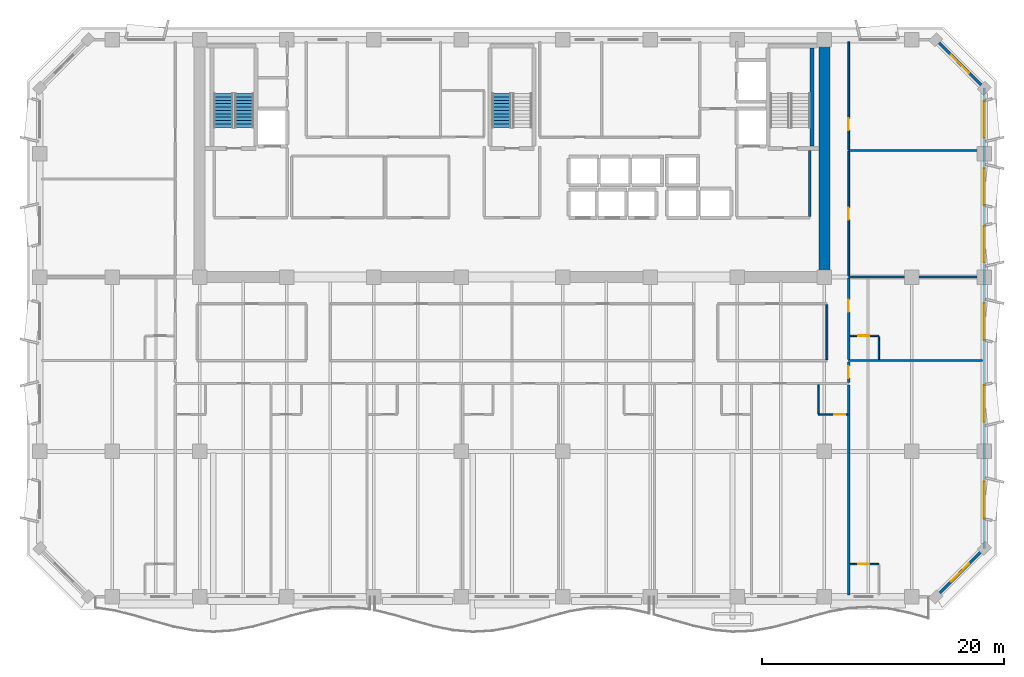
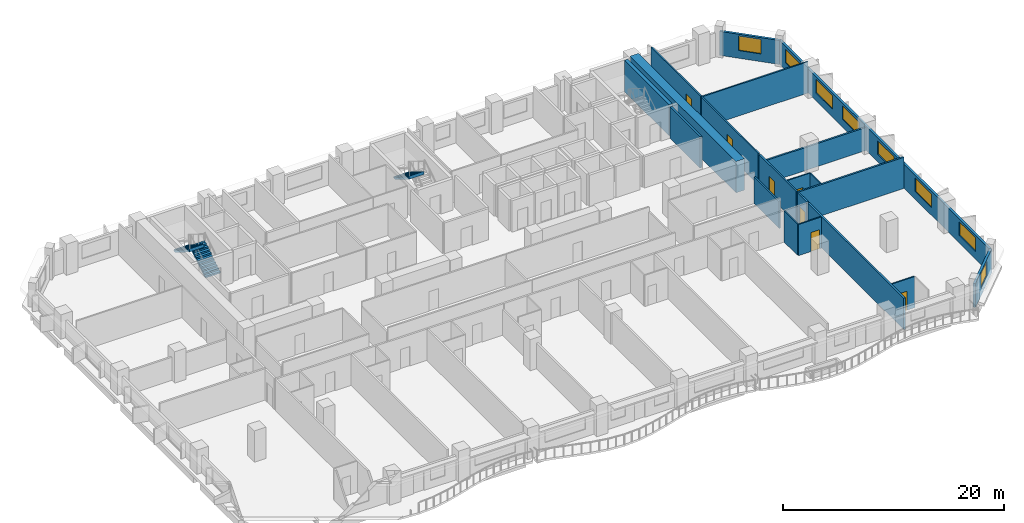
# One storey, part 9 of 15: 20 walls, 8 windows, 7 doors, 3 stair flights, 15 openings, 2 elements without a shape of their own.
"""IFC4 building model written with IfcOpenShell, lengths in metres."""

import ifcopenshell
import ifcopenshell.guid

model = None  # the IFC model being written
_history = None  # IfcOwnerHistory: only IFC2X3 demands one
_inside = {}  # id of a spatial element -> (the spatial element, [elements in it])
_under = {}  # id of a project, library or spatial element -> (it, [spatial elements below it])
_declared = {}  # id of a project -> (the project, [libraries it declares])
_typed = {}  # id of a type object -> (the type object, [elements of that type])
_made_of = {}  # id of a material, layer set ... -> (it, [elements and type objects made of it])


def new_model(schema):
    """Start an empty IFC model of exactly this schema.

    Asked for "IFC4X3", IfcOpenShell would pick the latest addendum, in which some entities
    have other attributes; the version numbers below select the first issue.
    IFC2X3 requires an IfcOwnerHistory on every rooted entity: one is made here for all.
    """
    global model, _history
    if schema == "IFC4X3":
        model = ifcopenshell.file(schema_version=(4, 3, 0, 0))
    else:
        model = ifcopenshell.file(schema=schema)
    _inside.clear()
    _under.clear()
    _declared.clear()
    _typed.clear()
    _made_of.clear()
    _history = None
    if model.schema == "IFC2X3":
        org = make("IfcOrganization", Name="unknown")
        user = make(
            "IfcPersonAndOrganization",
            ThePerson=make("IfcPerson", FamilyName="unknown"),
            TheOrganization=org,
        )
        app = make(
            "IfcApplication",
            ApplicationDeveloper=org,
            Version="unknown",
            ApplicationFullName="unknown",
            ApplicationIdentifier="unknown",
        )
        _history = make(
            "IfcOwnerHistory",
            OwningUser=user,
            OwningApplication=app,
            ChangeAction="ADDED",
            CreationDate=0,
        )
    return model


def make(cls, **values):
    """One entity of the class cls with the attributes given. An attribute that is None is left unset."""
    return model.create_entity(
        cls, **{name: value for name, value in values.items() if value is not None}
    )


def rooted(cls, **values):
    """An entity with a GlobalId (a new one), such as an element, a storey or a relation."""
    return make(cls, GlobalId=ifcopenshell.guid.new(), OwnerHistory=_history, **values)


def si_unit(unit_type, name, prefix=None):
    """IfcSIUnit, for example si_unit("LENGTHUNIT", "METRE", prefix="MILLI")."""
    return make("IfcSIUnit", UnitType=unit_type, Prefix=prefix, Name=name)


def assignment(units):
    """IfcUnitAssignment: the units of a project."""
    return None if units is None else make("IfcUnitAssignment", Units=units)


def point(xyz):
    """IfcCartesianPoint."""
    return None if xyz is None else make("IfcCartesianPoint", Coordinates=xyz)


def direction(xyz):
    """IfcDirection."""
    return None if xyz is None else make("IfcDirection", DirectionRatios=xyz)


def frame(location, z_axis=None, x_axis=None):
    """IfcAxis2Placement3D, a coordinate frame: its origin and axes. An axis left out is left unset."""
    return make(
        "IfcAxis2Placement3D",
        Location=point(location),
        Axis=direction(z_axis),
        RefDirection=direction(x_axis),
    )


def frame_2d(location, x_axis=None):
    """IfcAxis2Placement2D, a coordinate frame in the plane: its origin and x axis."""
    return make(
        "IfcAxis2Placement2D", Location=point(location), RefDirection=direction(x_axis)
    )


def origin():
    """The frame at (0, 0, 0) with its axes left unset."""
    return frame((0.0, 0.0, 0.0))


def place(relative_to, where):
    """IfcLocalPlacement: puts the frame where relative to a parent placement (None: the world)."""
    return make(
        "IfcLocalPlacement", PlacementRelTo=relative_to, RelativePlacement=where
    )


def context(
    kind, dimensions, precision=None, world=None, true_north=None, identifier=None
):
    """IfcGeometricRepresentationContext, for example the 3D "Model" context."""
    return make(
        "IfcGeometricRepresentationContext",
        ContextIdentifier=identifier,
        ContextType=kind,
        CoordinateSpaceDimension=dimensions,
        Precision=precision,
        WorldCoordinateSystem=world,
        TrueNorth=true_north,
    )


def subcontext(parent, identifier, kind, view, scale=None):
    """IfcGeometricRepresentationSubContext, for example "Body" below "Model"."""
    return make(
        "IfcGeometricRepresentationSubContext",
        ContextIdentifier=identifier,
        ContextType=kind,
        ParentContext=parent,
        TargetScale=scale,
        TargetView=view,
    )


def project(units=None, contexts=None):
    """IfcProject with its units and contexts."""
    return rooted(
        "IfcProject",
        Name="project",
        RepresentationContexts=contexts,
        UnitsInContext=assignment(units),
    )


def spatial(cls, under=None, at=None, **own):
    """A site, building, storey or space (cls), placed at a placement, below another one or the project."""
    s = rooted(cls, ObjectPlacement=at, **own)
    if under is not None:
        _under.setdefault(under.id(), (under, []))[1].append(s)
    return s


def polyline(points):
    """IfcPolyline through the points."""
    return make("IfcPolyline", Points=[point(p) for p in points])


def profile(cls, at=None, kind="AREA", **sizes):
    """A parametric profile (cls). Its sizes go by their IFC names, for example OverallWidth=200.0."""
    return make(cls, ProfileType=kind, Position=at, **sizes)


def rectangle(**sizes):
    """IfcRectangleProfileDef."""
    return profile("IfcRectangleProfileDef", **sizes)


def outline(outer, holes=None, kind="AREA"):
    """IfcArbitraryClosedProfileDef: a profile drawn as a closed curve; with holes, ...WithVoids."""
    if holes is None:
        return make("IfcArbitraryClosedProfileDef", ProfileType=kind, OuterCurve=outer)
    return make(
        "IfcArbitraryProfileDefWithVoids",
        ProfileType=kind,
        OuterCurve=outer,
        InnerCurves=holes,
    )


def extrude(swept, where, along, depth):
    """IfcExtrudedAreaSolid: the profile swept, set in the frame where, extruded along a direction by depth."""
    return make(
        "IfcExtrudedAreaSolid",
        SweptArea=swept,
        Position=where,
        ExtrudedDirection=direction(along),
        Depth=depth,
    )


def shape(context_of_items, identifier, shape_type, items):
    """IfcShapeRepresentation: the items that make up one representation, for example the "Body"."""
    return make(
        "IfcShapeRepresentation",
        ContextOfItems=context_of_items,
        RepresentationIdentifier=identifier,
        RepresentationType=shape_type,
        Items=items,
    )


def material(Name=None, Category=None):
    """IfcMaterial."""
    return make("IfcMaterial", Name=Name, Category=Category)


def layer(
    of_material, thickness, ventilated=None, Name=None, Category=None, Priority=None
):
    """IfcMaterialLayer: one layer of a wall or slab, of a material (None: an air gap)."""
    return make(
        "IfcMaterialLayer",
        Material=of_material,
        LayerThickness=thickness,
        IsVentilated=ventilated,
        Name=Name,
        Category=Category,
        Priority=Priority,
    )


def layer_set(layers, Name=None):
    """IfcMaterialLayerSet."""
    return make("IfcMaterialLayerSet", MaterialLayers=layers, LayerSetName=Name)


def made_of(thing, what):
    """Note that an element or type object is made of a material, layer set ...; save() writes the relation."""
    if what is not None:
        _made_of.setdefault(what.id(), (what, []))[1].append(thing)
    return thing


def type_object(cls, material=None, **own):
    """A type object (cls), such as IfcWallType, which elements share."""
    return made_of(rooted(cls, **own), material)


def element(
    cls,
    number,
    at=None,
    inside=None,
    cuts=None,
    type_object=None,
    material=None,
    context=None,
    identifier="Body",
    shape_type=None,
    held_by="IfcProductDefinitionShape",
    body=None,
    shapes=None,
    **own,
):
    """One element of the class cls, such as IfcWall. Its Tag is "e" and its number.

    at: its placement. inside: the storey or other place that contains it. cuts: it is an
    opening in that element (IfcRelVoidsElement). A single representation is given by context,
    identifier, shape_type and body (its items); several are given by shapes. held_by: the class
    of the entity that holds the representations. save() writes the other relations.
    """
    e = rooted(cls, Tag="e%d" % number, ObjectPlacement=at, **own)
    if body is not None:
        shapes = [shape(context, identifier, shape_type, body)]
    if shapes is not None:
        e.Representation = make(held_by, Representations=shapes)
    if inside is not None:
        _inside.setdefault(inside.id(), (inside, []))[1].append(e)
    if cuts is not None:
        rooted(
            "IfcRelVoidsElement", RelatingBuildingElement=cuts, RelatedOpeningElement=e
        )
    if type_object is not None:
        _typed.setdefault(type_object.id(), (type_object, []))[1].append(e)
    return made_of(e, material)


def fill(opening, filler):
    """IfcRelFillsElement: the door or window that sits in an opening."""
    return rooted(
        "IfcRelFillsElement",
        RelatingOpeningElement=opening,
        RelatedBuildingElement=filler,
    )


def aggregate(whole, parts):
    """IfcRelAggregates: a whole, such as a stair, and the parts it consists of."""
    return rooted("IfcRelAggregates", RelatingObject=whole, RelatedObjects=parts)


def save(model, path):
    """Write the relations noted so far, then the file.

    IfcRelAggregates (storeys below a building ...), IfcRelContainedInSpatialStructure (elements
    in a storey), IfcRelDefinesByType, IfcRelAssociatesMaterial and IfcRelDeclares: one each for
    every whole, place, type object, material and project.
    """
    for whole, parts in _under.values():
        aggregate(whole, parts)
    for where, things in _inside.values():
        rooted(
            "IfcRelContainedInSpatialStructure",
            RelatedElements=things,
            RelatingStructure=where,
        )
    for kind, things in _typed.values():
        rooted("IfcRelDefinesByType", RelatedObjects=things, RelatingType=kind)
    for what, things in _made_of.values():
        rooted("IfcRelAssociatesMaterial", RelatedObjects=things, RelatingMaterial=what)
    for by, libraries in _declared.values():
        rooted("IfcRelDeclares", RelatingContext=by, RelatedDefinitions=libraries)
    model.write(path)


model = new_model("IFC4")

# Units and contexts
model_context = context("Model", 3, precision=1e-05, world=origin(), true_north=direction((0.0, 1.0)))
body_context = subcontext(model_context, "Body", "Model", "MODEL_VIEW")
ifc_project = project(units=[si_unit("LENGTHUNIT", "METRE"), si_unit("AREAUNIT", "SQUARE_METRE"), si_unit("VOLUMEUNIT", "CUBIC_METRE"), si_unit("PLANEANGLEUNIT", "RADIAN"), si_unit("MASSUNIT", "GRAM", prefix="KILO")], contexts=[model_context])

# Site, building, storey
site_placement = place(None, origin())
site = spatial("IfcSite", under=ifc_project, at=site_placement, CompositionType="ELEMENT")
building_placement = place(site_placement, origin())
building = spatial("IfcBuilding", under=site, at=building_placement, Name="Kaelvorn Grand Hotel", CompositionType="ELEMENT")
storey_placement = place(building_placement, frame((0.0, 0.0, 180.949951171875)))
storey = spatial("IfcBuildingStorey", under=building, at=storey_placement, Name="L44", CompositionType="ELEMENT", Elevation=180.949951171875)

# Wall
ifc_material_1 = material(Name="Concrete C60/75", Category="concrete")
ifc_layer_1 = layer(ifc_material_1, 0.89990234375)
ifc_layer_set_1 = layer_set([ifc_layer_1], Name="Concrete C60/75")
wall_type_1 = type_object("IfcWallType", Name="WL-CORE-900-C60", PredefinedType="SHEAR", material=ifc_layer_set_1)
wall_1_placement = place(storey_placement, frame((67.800048828125, 29.39990234375, 0.0), z_axis=(0.0, 0.0, 1.0), x_axis=(0.0, 1.0, 0.0)))
element("IfcWall", 1, at=wall_1_placement, inside=storey, type_object=wall_type_1, Name="L44 Rear-Core East Shear Wall", PredefinedType="SHEAR", context=body_context, shape_type="SweptSolid", body=[
    extrude(rectangle(XDim=19.2001953125, YDim=0.89990234375, at=frame_2d((9.60009765625, 0.0))), origin(), (0.0, 0.0, 1.0), 3.449951171875),
])

# Wall, opening, window
ifc_material_2 = material(Name="Concrete C40/50", Category="concrete")
ifc_layer_2 = layer(ifc_material_2, 0.239990234375)
ifc_layer_set_2 = layer_set([ifc_layer_2], Name="Concrete C40/50")
wall_type_2 = type_object("IfcWallType", Name="WL-EXT-240-C40", PredefinedType="SOLIDWALL", material=ifc_layer_set_2)
wall_2_placement = place(storey_placement, frame((77.0, 3.0, 0.0), z_axis=(0.0, 0.0, 1.0), x_axis=(0.707106781187, 0.707106781187, 0.0)))
wall_2 = element("IfcWall", 2, at=wall_2_placement, inside=storey, type_object=wall_type_2, Name="L44 Exterior Architectural Concrete Wall 02", PredefinedType="SOLIDWALL", context=body_context, shape_type="SweptSolid", body=[
    extrude(rectangle(XDim=5.65673828125, YDim=0.239990234375, at=frame_2d((2.828369140625, 0.0))), origin(), (0.0, 0.0, 1.0), 2.650146484375),
])
opening_1_placement = place(wall_2_placement, frame((1.7783203125, 0.0, 0.85009765625)))
opening_1 = element("IfcOpeningElement", 3, at=opening_1_placement, cuts=wall_2, Name="Opening W7", PredefinedType="OPENING", context=body_context, shape_type="SweptSolid", body=[
    extrude(rectangle(XDim=2.10009765625, YDim=1.60009765625, at=frame_2d((1.050048828125, 0.800048828125))), frame((0.0, 0.1298828125, 0.0), z_axis=(0.0, -1.0, 0.0), x_axis=(1.0, 0.0, 0.0)), (0.0, 0.0, 1.0), 0.260009765625),
])
ifc_material_3 = material(Name="Laminated Low-E Glass", Category="glass")
window_type_1 = type_object("IfcWindowType", Name="WIN-CHM-2100x1600", PartitioningType="SINGLE_PANEL", PredefinedType="WINDOW", material=ifc_material_3)
window_1_placement = place(opening_1_placement, origin())
window_1 = element("IfcWindow", 4, at=window_1_placement, inside=storey, type_object=window_type_1, Name="L44 Chamfered 45-Degree Corner Window SE", OverallHeight=1.60009765625, OverallWidth=2.10009765625, PartitioningType="SINGLE_PANEL", PredefinedType="WINDOW", context=body_context, shape_type="SweptSolid", body=[
    extrude(rectangle(XDim=2.10009765625, YDim=1.60009765625, at=frame_2d((1.050048828125, 0.800048828125))), frame((0.0, 0.030029296875, 0.0), z_axis=(0.0, -1.0, 0.0), x_axis=(1.0, 0.0, 0.0)), (0.0, 0.0, 1.0), 0.06005859375),
])
fill(opening_1, window_1)

# Wall, openings, windows
wall_3_placement = place(storey_placement, frame((81.0, 7.0, 0.0), z_axis=(0.0, 0.0, 1.0), x_axis=(0.0, 1.0, 0.0)))
wall_3 = element("IfcWall", 5, at=wall_3_placement, inside=storey, type_object=wall_type_2, Name="L44 Exterior Architectural Concrete Wall 03", PredefinedType="SOLIDWALL", context=body_context, shape_type="SweptSolid", body=[
    extrude(rectangle(XDim=38.0, YDim=0.239990234375, at=frame_2d((19.0, 0.0))), origin(), (0.0, 0.0, 1.0), 2.650146484375),
])
opening_2_placement = place(wall_3_placement, frame((2.5, 0.0, 0.85009765625)))
opening_2 = element("IfcOpeningElement", 6, at=opening_2_placement, cuts=wall_3, Name="Opening W5", PredefinedType="OPENING", context=body_context, shape_type="SweptSolid", body=[
    extrude(rectangle(XDim=3.0, YDim=1.5, at=frame_2d((1.5, 0.75))), frame((0.0, 0.1298828125, 0.0), z_axis=(0.0, -1.0, 0.0), x_axis=(1.0, 0.0, 0.0)), (0.0, 0.0, 1.0), 0.260009765625),
])
opening_3_placement = place(wall_3_placement, frame((10.449951171875, 0.0, 0.85009765625)))
opening_3 = element("IfcOpeningElement", 7, at=opening_3_placement, cuts=wall_3, Name="Opening W5", PredefinedType="OPENING", context=body_context, shape_type="SweptSolid", body=[
    extrude(rectangle(XDim=3.0, YDim=1.5, at=frame_2d((1.5, 0.75))), frame((0.0, 0.1298828125, 0.0), z_axis=(0.0, -1.0, 0.0), x_axis=(1.0, 0.0, 0.0)), (0.0, 0.0, 1.0), 0.260009765625),
])
opening_4_placement = place(wall_3_placement, frame((17.25, 0.0, 0.85009765625)))
opening_4 = element("IfcOpeningElement", 8, at=opening_4_placement, cuts=wall_3, Name="Opening W5", PredefinedType="OPENING", context=body_context, shape_type="SweptSolid", body=[
    extrude(rectangle(XDim=3.0, YDim=1.5, at=frame_2d((1.5, 0.75))), frame((0.0, 0.1298828125, 0.0), z_axis=(0.0, -1.0, 0.0), x_axis=(1.0, 0.0, 0.0)), (0.0, 0.0, 1.0), 0.260009765625),
])
opening_5_placement = place(wall_3_placement, frame((23.614990234375, 0.0, 0.85009765625)))
opening_5 = element("IfcOpeningElement", 9, at=opening_5_placement, cuts=wall_3, Name="Opening W5", PredefinedType="OPENING", context=body_context, shape_type="SweptSolid", body=[
    extrude(rectangle(XDim=3.0, YDim=1.5, at=frame_2d((1.5, 0.75))), frame((0.0, 0.1298828125, 0.0), z_axis=(0.0, -1.0, 0.0), x_axis=(1.0, 0.0, 0.0)), (0.0, 0.0, 1.0), 0.260009765625),
])
opening_6_placement = place(wall_3_placement, frame((28.385009765625, 0.0, 0.85009765625)))
opening_6 = element("IfcOpeningElement", 10, at=opening_6_placement, cuts=wall_3, Name="Opening W5", PredefinedType="OPENING", context=body_context, shape_type="SweptSolid", body=[
    extrude(rectangle(XDim=3.0, YDim=1.5, at=frame_2d((1.5, 0.75))), frame((0.0, 0.1298828125, 0.0), z_axis=(0.0, -1.0, 0.0), x_axis=(1.0, 0.0, 0.0)), (0.0, 0.0, 1.0), 0.260009765625),
])
opening_7_placement = place(wall_3_placement, frame((33.9150390625, 0.0, 0.85009765625)))
opening_7 = element("IfcOpeningElement", 11, at=opening_7_placement, cuts=wall_3, Name="Opening W5", PredefinedType="OPENING", context=body_context, shape_type="SweptSolid", body=[
    extrude(rectangle(XDim=3.0, YDim=1.5, at=frame_2d((1.5, 0.75))), frame((0.0, 0.1298828125, 0.0), z_axis=(0.0, -1.0, 0.0), x_axis=(1.0, 0.0, 0.0)), (0.0, 0.0, 1.0), 0.260009765625),
])
window_type_2 = type_object("IfcWindowType", Name="WIN-NTH-3000x1500", PartitioningType="SINGLE_PANEL", PredefinedType="WINDOW", material=ifc_material_3)
window_2_placement = place(opening_2_placement, origin())
window_2 = element("IfcWindow", 12, at=window_2_placement, inside=storey, type_object=window_type_2, Name="L44 E Wing Tilted-Frame Ribbon Window E01", OverallHeight=1.5, OverallWidth=3.0, PartitioningType="SINGLE_PANEL", PredefinedType="WINDOW", context=body_context, shape_type="SweptSolid", body=[
    extrude(rectangle(XDim=3.0, YDim=1.5, at=frame_2d((1.5, 0.75))), frame((0.0, 0.030029296875, 0.0), z_axis=(0.0, -1.0, 0.0), x_axis=(1.0, 0.0, 0.0)), (0.0, 0.0, 1.0), 0.06005859375),
])
fill(opening_2, window_2)
window_3_placement = place(opening_3_placement, origin())
window_3 = element("IfcWindow", 13, at=window_3_placement, inside=storey, type_object=window_type_2, Name="L44 E Wing Tilted-Frame Ribbon Window E02", OverallHeight=1.5, OverallWidth=3.0, PartitioningType="SINGLE_PANEL", PredefinedType="WINDOW", context=body_context, shape_type="SweptSolid", body=[
    extrude(rectangle(XDim=3.0, YDim=1.5, at=frame_2d((1.5, 0.75))), frame((0.0, 0.030029296875, 0.0), z_axis=(0.0, -1.0, 0.0), x_axis=(1.0, 0.0, 0.0)), (0.0, 0.0, 1.0), 0.06005859375),
])
fill(opening_3, window_3)
window_4_placement = place(opening_4_placement, origin())
window_4 = element("IfcWindow", 14, at=window_4_placement, inside=storey, type_object=window_type_2, Name="L44 E Wing Tilted-Frame Ribbon Window E03", OverallHeight=1.5, OverallWidth=3.0, PartitioningType="SINGLE_PANEL", PredefinedType="WINDOW", context=body_context, shape_type="SweptSolid", body=[
    extrude(rectangle(XDim=3.0, YDim=1.5, at=frame_2d((1.5, 0.75))), frame((0.0, 0.030029296875, 0.0), z_axis=(0.0, -1.0, 0.0), x_axis=(1.0, 0.0, 0.0)), (0.0, 0.0, 1.0), 0.06005859375),
])
fill(opening_4, window_4)
window_5_placement = place(opening_5_placement, origin())
window_5 = element("IfcWindow", 15, at=window_5_placement, inside=storey, type_object=window_type_2, Name="L44 E Wing Tilted-Frame Ribbon Window E04", OverallHeight=1.5, OverallWidth=3.0, PartitioningType="SINGLE_PANEL", PredefinedType="WINDOW", context=body_context, shape_type="SweptSolid", body=[
    extrude(rectangle(XDim=3.0, YDim=1.5, at=frame_2d((1.5, 0.75))), frame((0.0, 0.030029296875, 0.0), z_axis=(0.0, -1.0, 0.0), x_axis=(1.0, 0.0, 0.0)), (0.0, 0.0, 1.0), 0.06005859375),
])
fill(opening_5, window_5)
window_6_placement = place(opening_6_placement, origin())
window_6 = element("IfcWindow", 16, at=window_6_placement, inside=storey, type_object=window_type_2, Name="L44 E Wing Tilted-Frame Ribbon Window E05", OverallHeight=1.5, OverallWidth=3.0, PartitioningType="SINGLE_PANEL", PredefinedType="WINDOW", context=body_context, shape_type="SweptSolid", body=[
    extrude(rectangle(XDim=3.0, YDim=1.5, at=frame_2d((1.5, 0.75))), frame((0.0, 0.030029296875, 0.0), z_axis=(0.0, -1.0, 0.0), x_axis=(1.0, 0.0, 0.0)), (0.0, 0.0, 1.0), 0.06005859375),
])
fill(opening_6, window_6)
window_7_placement = place(opening_7_placement, origin())
window_7 = element("IfcWindow", 17, at=window_7_placement, inside=storey, type_object=window_type_2, Name="L44 E Wing Tilted-Frame Ribbon Window E06", OverallHeight=1.5, OverallWidth=3.0, PartitioningType="SINGLE_PANEL", PredefinedType="WINDOW", context=body_context, shape_type="SweptSolid", body=[
    extrude(rectangle(XDim=3.0, YDim=1.5, at=frame_2d((1.5, 0.75))), frame((0.0, 0.030029296875, 0.0), z_axis=(0.0, -1.0, 0.0), x_axis=(1.0, 0.0, 0.0)), (0.0, 0.0, 1.0), 0.06005859375),
])
fill(opening_7, window_7)

# Wall, opening, window
wall_4_placement = place(storey_placement, frame((81.0, 45.0, 0.0), z_axis=(0.0, 0.0, 1.0), x_axis=(-0.707106781187, 0.707106781187, 0.0)))
wall_4 = element("IfcWall", 18, at=wall_4_placement, inside=storey, type_object=wall_type_2, Name="L44 Exterior Architectural Concrete Wall 04", PredefinedType="SOLIDWALL", context=body_context, shape_type="SweptSolid", body=[
    extrude(rectangle(XDim=5.65673828125, YDim=0.239990234375, at=frame_2d((2.828369140625, 0.0))), origin(), (0.0, 0.0, 1.0), 2.650146484375),
])
opening_8_placement = place(wall_4_placement, frame((1.7783203125, 0.0, 0.85009765625)))
opening_8 = element("IfcOpeningElement", 19, at=opening_8_placement, cuts=wall_4, Name="Opening W7", PredefinedType="OPENING", context=body_context, shape_type="SweptSolid", body=[
    extrude(rectangle(XDim=2.10009765625, YDim=1.60009765625, at=frame_2d((1.050048828125, 0.800048828125))), frame((0.0, 0.1298828125, 0.0), z_axis=(0.0, -1.0, 0.0), x_axis=(1.0, 0.0, 0.0)), (0.0, 0.0, 1.0), 0.260009765625),
])
window_8_placement = place(opening_8_placement, origin())
window_8 = element("IfcWindow", 20, at=window_8_placement, inside=storey, type_object=window_type_1, Name="L44 Chamfered 45-Degree Corner Window NE", OverallHeight=1.60009765625, OverallWidth=2.10009765625, PartitioningType="SINGLE_PANEL", PredefinedType="WINDOW", context=body_context, shape_type="SweptSolid", body=[
    extrude(rectangle(XDim=2.10009765625, YDim=1.60009765625, at=frame_2d((1.050048828125, 0.800048828125))), frame((0.0, 0.030029296875, 0.0), z_axis=(0.0, -1.0, 0.0), x_axis=(1.0, 0.0, 0.0)), (0.0, 0.0, 1.0), 0.06005859375),
])
fill(opening_8, window_8)

# Wall, opening, door
ifc_material_4 = material(Name="Moisture-Resistant Tile & Stud Board")
ifc_layer_3 = layer(ifc_material_4, 0.125)
ifc_layer_set_3 = layer_set([ifc_layer_3], Name="Moisture-Resistant Tile & Stud Board")
wall_type_3 = type_object("IfcWallType", Name="WL-PART-125-WET", PredefinedType="PARTITIONING", material=ifc_layer_set_3)
wall_5_placement = place(storey_placement, frame((67.300048828125, 18.050048828125, 0.0), z_axis=(0.0, 0.0, 1.0), x_axis=(1.0, 0.0, 0.0)))
wall_5 = element("IfcWall", 21, at=wall_5_placement, inside=storey, type_object=wall_type_3, Name="L44 En-suite Bathroom L44-07 S Partition", PredefinedType="PARTITIONING", context=body_context, shape_type="SweptSolid", body=[
    extrude(rectangle(XDim=2.405029296875, YDim=0.125, at=frame_2d((1.20263671875, 0.0))), origin(), (0.0, 0.0, 1.0), 3.449951171875),
])
opening_9_placement = place(wall_5_placement, frame((1.300048828125, 0.0, 0.0)))
opening_9 = element("IfcOpeningElement", 22, at=opening_9_placement, cuts=wall_5, Name="Opening DI4", PredefinedType="OPENING", context=body_context, shape_type="SweptSolid", body=[
    extrude(rectangle(XDim=0.89990234375, YDim=2.10009765625, at=frame_2d((0.449951171875, 1.050048828125))), frame((0.0, 0.072509765625, 0.0), z_axis=(0.0, -1.0, 0.0), x_axis=(1.0, 0.0, 0.0)), (0.0, 0.0, 1.0), 0.14501953125),
])
ifc_material_5 = material(Name="Timber Veneer Leaf", Category="wood")
door_type_1 = type_object("IfcDoorType", Name="DR-INT-BATH-900x2100", OperationType="NOTDEFINED", PredefinedType="DOOR", material=ifc_material_5)
door_1_placement = place(opening_9_placement, origin())
door_1 = element("IfcDoor", 23, at=door_1_placement, inside=storey, type_object=door_type_1, Name="L44 En-suite Bathroom L44-07 Door", OperationType="SINGLE_SWING_RIGHT", OverallHeight=2.10009765625, OverallWidth=0.89990234375, PredefinedType="DOOR", context=body_context, shape_type="SweptSolid", body=[
    extrude(rectangle(XDim=0.89990234375, YDim=2.10009765625, at=frame_2d((0.449951171875, 1.050048828125))), frame((0.0, 0.02490234375, 0.0), z_axis=(0.0, -1.0, 0.0), x_axis=(1.0, 0.0, 0.0)), (0.0, 0.0, 1.0), 0.050048828125),
])
fill(opening_9, door_1)

# Wall
wall_6_placement = place(storey_placement, frame((67.300048828125, 18.117431640625, 0.0), z_axis=(0.0, 0.0, 1.0), x_axis=(0.0, 1.0, 0.0)))
element("IfcWall", 24, at=wall_6_placement, inside=storey, type_object=wall_type_3, Name="L44 En-suite Bathroom L44-07 W Partition", PredefinedType="PARTITIONING", context=body_context, shape_type="SweptSolid", body=[
    extrude(rectangle(XDim=2.387451171875, YDim=0.125, at=frame_2d((1.19384765625, 0.0))), origin(), (0.0, 0.0, 1.0), 3.449951171875),
])

# Wall, opening, door
wall_7_placement = place(storey_placement, frame((69.89501953125, 5.699951171875, 0.0), z_axis=(0.0, 0.0, 1.0), x_axis=(1.0, 0.0, 0.0)))
wall_7 = element("IfcWall", 25, at=wall_7_placement, inside=storey, type_object=wall_type_3, Name="L44 En-suite Bathroom L44-10 N Partition", PredefinedType="PARTITIONING", context=body_context, shape_type="SweptSolid", body=[
    extrude(rectangle(XDim=2.405029296875, YDim=0.125, at=frame_2d((1.20263671875, 0.0))), origin(), (0.0, 0.0, 1.0), 3.449951171875),
])
opening_10_placement = place(wall_7_placement, frame((0.705078125, 0.0, 0.0)))
opening_10 = element("IfcOpeningElement", 26, at=opening_10_placement, cuts=wall_7, Name="Opening DI4", PredefinedType="OPENING", context=body_context, shape_type="SweptSolid", body=[
    extrude(rectangle(XDim=0.89990234375, YDim=2.10009765625, at=frame_2d((0.449951171875, 1.050048828125))), frame((0.0, 0.072509765625, 0.0), z_axis=(0.0, -1.0, 0.0), x_axis=(1.0, 0.0, 0.0)), (0.0, 0.0, 1.0), 0.14501953125),
])
door_2_placement = place(opening_10_placement, origin())
door_2 = element("IfcDoor", 27, at=door_2_placement, inside=storey, type_object=door_type_1, Name="L44 En-suite Bathroom L44-10 Door", OperationType="SINGLE_SWING_RIGHT", OverallHeight=2.10009765625, OverallWidth=0.89990234375, PredefinedType="DOOR", context=body_context, shape_type="SweptSolid", body=[
    extrude(rectangle(XDim=0.89990234375, YDim=2.10009765625, at=frame_2d((0.449951171875, 1.050048828125))), frame((0.0, 0.02490234375, 0.0), z_axis=(0.0, -1.0, 0.0), x_axis=(1.0, 0.0, 0.0)), (0.0, 0.0, 1.0), 0.050048828125),
])
fill(opening_10, door_2)

wall_8_placement = place(storey_placement, frame((69.89501953125, 24.550048828125, 0.0), z_axis=(0.0, 0.0, 1.0), x_axis=(1.0, 0.0, 0.0)))
wall_8 = element("IfcWall", 28, at=wall_8_placement, inside=storey, type_object=wall_type_3, Name="L44 En-suite Bathroom L44-11 N Partition", PredefinedType="PARTITIONING", context=body_context, shape_type="SweptSolid", body=[
    extrude(rectangle(XDim=2.405029296875, YDim=0.125, at=frame_2d((1.20263671875, 0.0))), origin(), (0.0, 0.0, 1.0), 3.449951171875),
])
opening_11_placement = place(wall_8_placement, frame((0.705078125, 0.0, 0.0)))
opening_11 = element("IfcOpeningElement", 29, at=opening_11_placement, cuts=wall_8, Name="Opening DI4", PredefinedType="OPENING", context=body_context, shape_type="SweptSolid", body=[
    extrude(rectangle(XDim=0.89990234375, YDim=2.10009765625, at=frame_2d((0.449951171875, 1.050048828125))), frame((0.0, 0.072509765625, 0.0), z_axis=(0.0, -1.0, 0.0), x_axis=(1.0, 0.0, 0.0)), (0.0, 0.0, 1.0), 0.14501953125),
])
door_3_placement = place(opening_11_placement, origin())
door_3 = element("IfcDoor", 30, at=door_3_placement, inside=storey, type_object=door_type_1, Name="L44 En-suite Bathroom L44-11 Door", OperationType="SINGLE_SWING_RIGHT", OverallHeight=2.10009765625, OverallWidth=0.89990234375, PredefinedType="DOOR", context=body_context, shape_type="SweptSolid", body=[
    extrude(rectangle(XDim=0.89990234375, YDim=2.10009765625, at=frame_2d((0.449951171875, 1.050048828125))), frame((0.0, 0.02490234375, 0.0), z_axis=(0.0, -1.0, 0.0), x_axis=(1.0, 0.0, 0.0)), (0.0, 0.0, 1.0), 0.050048828125),
])
fill(opening_11, door_3)

# Walls
wall_9_placement = place(storey_placement, frame((72.300048828125, 22.594970703125, 0.0), z_axis=(0.0, 0.0, 1.0), x_axis=(0.0, 1.0, 0.0)))
element("IfcWall", 31, at=wall_9_placement, inside=storey, type_object=wall_type_3, Name="L44 En-suite Bathroom L44-11 E Partition", PredefinedType="PARTITIONING", context=body_context, shape_type="SweptSolid", body=[
    extrude(rectangle(XDim=1.887451171875, YDim=0.125, at=frame_2d((0.94384765625, 0.0))), origin(), (0.0, 0.0, 1.0), 3.449951171875),
])
ifc_material_6 = material(Name="Acoustic Gypsum & Stud Partition")
ifc_layer_4 = layer(ifc_material_6, 0.14990234375)
ifc_layer_set_4 = layer_set([ifc_layer_4], Name="Acoustic Gypsum & Stud Partition")
wall_type_4 = type_object("IfcWallType", Name="WL-PART-150-EI60", PredefinedType="PARTITIONING", material=ifc_layer_set_4)
wall_10_placement = place(storey_placement, frame((68.0, 22.580078125, 0.0), z_axis=(0.0, 0.0, 1.0), x_axis=(0.0, 1.0, 0.0)))
element("IfcWall", 32, at=wall_10_placement, inside=storey, type_object=wall_type_4, Name="L44 Press Briefing Office E Partition", PredefinedType="PARTITIONING", context=body_context, shape_type="SweptSolid", body=[
    extrude(rectangle(XDim=4.5400390625, YDim=0.14990234375, at=frame_2d((2.27001953125, 0.0))), origin(), (0.0, 0.0, 1.0), 2.949951171875),
])
wall_11_placement = place(storey_placement, frame((69.800048828125, 39.85009765625, 0.0), z_axis=(0.0, 0.0, 1.0), x_axis=(1.0, 0.0, 0.0)))
element("IfcWall", 33, at=wall_11_placement, inside=storey, type_object=wall_type_4, Name="L44 North-East Press Briefing Office N Partition", PredefinedType="PARTITIONING", context=body_context, shape_type="SweptSolid", body=[
    extrude(rectangle(XDim=11.050048828125, YDim=0.14990234375, at=frame_2d((5.52490234375, 0.0))), origin(), (0.0, 0.0, 1.0), 3.449951171875),
])

# Wall, opening, door
wall_12_placement = place(storey_placement, frame((69.800048828125, 29.4951171875, 0.0), z_axis=(0.0, 0.0, 1.0), x_axis=(0.0, 1.0, 0.0)))
wall_12 = element("IfcWall", 34, at=wall_12_placement, inside=storey, type_object=wall_type_4, Name="L44 North-East Press Briefing Office W Partition", PredefinedType="PARTITIONING", context=body_context, shape_type="SweptSolid", body=[
    extrude(rectangle(XDim=10.27490234375, YDim=0.14990234375, at=frame_2d((5.137451171875, 0.0))), origin(), (0.0, 0.0, 1.0), 3.449951171875),
])
opening_12_placement = place(wall_12_placement, frame((4.625, 0.0, 0.0)))
opening_12 = element("IfcOpeningElement", 35, at=opening_12_placement, cuts=wall_12, Name="Opening DI3", PredefinedType="OPENING", context=body_context, shape_type="SweptSolid", body=[
    extrude(rectangle(XDim=1.0, YDim=2.14990234375, at=frame_2d((0.5, 1.074951171875))), frame((0.0, 0.0849609375, 0.0), z_axis=(0.0, -1.0, 0.0), x_axis=(1.0, 0.0, 0.0)), (0.0, 0.0, 1.0), 0.169921875),
])
ifc_material_7 = material(Name="Timber Veneer Fire Leaf", Category="wood")
door_type_2 = type_object("IfcDoorType", Name="DR-INT-GUEST-1000x2150", OperationType="NOTDEFINED", PredefinedType="DOOR", material=ifc_material_7)
door_4_placement = place(opening_12_placement, origin())
door_4 = element("IfcDoor", 36, at=door_4_placement, inside=storey, type_object=door_type_2, Name="L44 North-East Press Briefing Office Door", OperationType="SINGLE_SWING_LEFT", OverallHeight=2.14990234375, OverallWidth=1.0, PredefinedType="DOOR", context=body_context, shape_type="SweptSolid", body=[
    extrude(rectangle(XDim=1.0, YDim=2.14990234375, at=frame_2d((0.5, 1.074951171875))), frame((0.0, 0.02490234375, 0.0), z_axis=(0.0, -1.0, 0.0), x_axis=(1.0, 0.0, 0.0)), (0.0, 0.0, 1.0), 0.050048828125),
])
fill(opening_12, door_4)

wall_13_placement = place(storey_placement, frame((69.800048828125, 39.929931640625, 0.0), z_axis=(0.0, 0.0, 1.0), x_axis=(0.0, 1.0, 0.0)))
wall_13 = element("IfcWall", 37, at=wall_13_placement, inside=storey, type_object=wall_type_4, Name="L44 North-East Private Cinema Lounge W Partition", PredefinedType="PARTITIONING", context=body_context, shape_type="SweptSolid", body=[
    extrude(rectangle(XDim=8.920166015625, YDim=0.14990234375, at=frame_2d((4.4599609375, 0.0))), origin(), (0.0, 0.0, 1.0), 3.449951171875),
])
opening_13_placement = place(wall_13_placement, frame((1.60009765625, 0.0, 0.0)))
opening_13 = element("IfcOpeningElement", 38, at=opening_13_placement, cuts=wall_13, Name="Opening DI3", PredefinedType="OPENING", context=body_context, shape_type="SweptSolid", body=[
    extrude(rectangle(XDim=1.0, YDim=2.14990234375, at=frame_2d((0.5, 1.074951171875))), frame((0.0, 0.0849609375, 0.0), z_axis=(0.0, -1.0, 0.0), x_axis=(1.0, 0.0, 0.0)), (0.0, 0.0, 1.0), 0.169921875),
])
door_5_placement = place(opening_13_placement, origin())
door_5 = element("IfcDoor", 39, at=door_5_placement, inside=storey, type_object=door_type_2, Name="L44 North-East Private Cinema Lounge Door", OperationType="SINGLE_SWING_RIGHT", OverallHeight=2.14990234375, OverallWidth=1.0, PredefinedType="DOOR", context=body_context, shape_type="SweptSolid", body=[
    extrude(rectangle(XDim=1.0, YDim=2.14990234375, at=frame_2d((0.5, 1.074951171875))), frame((0.0, 0.02490234375, 0.0), z_axis=(0.0, -1.0, 0.0), x_axis=(1.0, 0.0, 0.0)), (0.0, 0.0, 1.0), 0.050048828125),
])
fill(opening_13, door_5)

# Walls
ifc_layer_5 = layer(ifc_material_6, 0.179931640625)
ifc_layer_set_5 = layer_set([ifc_layer_5], Name="Acoustic Gypsum & Stud Partition")
wall_type_5 = type_object("IfcWallType", Name="WL-PART-180-EI60", PredefinedType="PARTITIONING", material=ifc_layer_set_5)
wall_14_placement = place(storey_placement, frame((69.800048828125, 3.14990234375, 0.0), z_axis=(0.0, 0.0, 1.0), x_axis=(0.0, 1.0, 0.0)))
element("IfcWall", 40, at=wall_14_placement, inside=storey, type_object=wall_type_5, Name="L44 Mid-Rise Signature Suite L44-07 E Partition", PredefinedType="PARTITIONING", context=body_context, shape_type="SweptSolid", body=[
    extrude(rectangle(XDim=17.35498046875, YDim=0.179931640625, at=frame_2d((8.677490234375, 0.0))), origin(), (0.0, 0.0, 1.0), 3.449951171875),
])
wall_15_placement = place(storey_placement, frame((69.800048828125, 22.5, 0.0), z_axis=(0.0, 0.0, 1.0), x_axis=(1.0, 0.0, 0.0)))
element("IfcWall", 41, at=wall_15_placement, inside=storey, type_object=wall_type_5, Name="L44 South-East Chamfer Suite L44-10 N Partition", PredefinedType="PARTITIONING", context=body_context, shape_type="SweptSolid", body=[
    extrude(rectangle(XDim=11.050048828125, YDim=0.179931640625, at=frame_2d((5.52490234375, 0.0))), origin(), (0.0, 0.0, 1.0), 3.449951171875),
])

# Wall, opening, door
wall_16_placement = place(storey_placement, frame((69.800048828125, 20.695068359375, 0.0), z_axis=(0.0, 0.0, 1.0), x_axis=(0.0, 1.0, 0.0)))
wall_16 = element("IfcWall", 42, at=wall_16_placement, inside=storey, type_object=wall_type_5, Name="L44 South-East Chamfer Suite L44-10 W Partition", PredefinedType="PARTITIONING", context=body_context, shape_type="SweptSolid", body=[
    extrude(rectangle(XDim=1.7099609375, YDim=0.179931640625, at=frame_2d((0.85498046875, 0.0))), origin(), (0.0, 0.0, 1.0), 3.449951171875),
])
opening_14_placement = place(wall_16_placement, frame((0.35498046875, 0.0, 0.0)))
opening_14 = element("IfcOpeningElement", 43, at=opening_14_placement, cuts=wall_16, Name="Opening DI3", PredefinedType="OPENING", context=body_context, shape_type="SweptSolid", body=[
    extrude(rectangle(XDim=1.0, YDim=2.14990234375, at=frame_2d((0.5, 1.074951171875))), frame((0.0, 0.10009765625, 0.0), z_axis=(0.0, -1.0, 0.0), x_axis=(1.0, 0.0, 0.0)), (0.0, 0.0, 1.0), 0.199951171875),
])
door_6_placement = place(opening_14_placement, origin())
door_6 = element("IfcDoor", 44, at=door_6_placement, inside=storey, type_object=door_type_2, Name="L44 South-East Chamfer Suite L44-10 Door", OperationType="SINGLE_SWING_LEFT", OverallHeight=2.14990234375, OverallWidth=1.0, PredefinedType="DOOR", context=body_context, shape_type="SweptSolid", body=[
    extrude(rectangle(XDim=1.0, YDim=2.14990234375, at=frame_2d((0.5, 1.074951171875))), frame((0.0, 0.02490234375, 0.0), z_axis=(0.0, -1.0, 0.0), x_axis=(1.0, 0.0, 0.0)), (0.0, 0.0, 1.0), 0.050048828125),
])
fill(opening_14, door_6)

# Wall
wall_17_placement = place(storey_placement, frame((69.800048828125, 29.39990234375, 0.0), z_axis=(0.0, 0.0, 1.0), x_axis=(1.0, 0.0, 0.0)))
element("IfcWall", 45, at=wall_17_placement, inside=storey, type_object=wall_type_5, Name="L44 East End Panoramic Suite L44-11 N Partition", PredefinedType="PARTITIONING", context=body_context, shape_type="SweptSolid", body=[
    extrude(rectangle(XDim=11.050048828125, YDim=0.179931640625, at=frame_2d((5.52490234375, 0.0))), origin(), (0.0, 0.0, 1.0), 2.5400390625),
])

# Wall, opening, door
wall_18_placement = place(storey_placement, frame((69.800048828125, 22.594970703125, 0.0), z_axis=(0.0, 0.0, 1.0), x_axis=(0.0, 1.0, 0.0)))
wall_18 = element("IfcWall", 46, at=wall_18_placement, inside=storey, type_object=wall_type_5, Name="L44 East End Panoramic Suite L44-11 W Partition", PredefinedType="PARTITIONING", context=body_context, shape_type="SweptSolid", body=[
    extrude(rectangle(XDim=6.7099609375, YDim=0.179931640625, at=frame_2d((3.35498046875, 0.0))), origin(), (0.0, 0.0, 1.0), 3.449951171875),
])
opening_15_placement = place(wall_18_placement, frame((3.93994140625, 0.0, 0.0)))
opening_15 = element("IfcOpeningElement", 47, at=opening_15_placement, cuts=wall_18, Name="Opening DI3", PredefinedType="OPENING", context=body_context, shape_type="SweptSolid", body=[
    extrude(rectangle(XDim=1.0, YDim=2.14990234375, at=frame_2d((0.5, 1.074951171875))), frame((0.0, 0.10009765625, 0.0), z_axis=(0.0, -1.0, 0.0), x_axis=(1.0, 0.0, 0.0)), (0.0, 0.0, 1.0), 0.199951171875),
])
door_7_placement = place(opening_15_placement, origin())
door_7 = element("IfcDoor", 48, at=door_7_placement, inside=storey, type_object=door_type_2, Name="L44 East End Panoramic Suite L44-11 Door", OperationType="SINGLE_SWING_LEFT", OverallHeight=2.14990234375, OverallWidth=1.0, PredefinedType="DOOR", context=body_context, shape_type="SweptSolid", body=[
    extrude(rectangle(XDim=1.0, YDim=2.14990234375, at=frame_2d((0.5, 1.074951171875))), frame((0.0, 0.02490234375, 0.0), z_axis=(0.0, -1.0, 0.0), x_axis=(1.0, 0.0, 0.0)), (0.0, 0.0, 1.0), 0.050048828125),
])
fill(opening_15, door_7)

# Walls
ifc_layer_6 = layer(ifc_material_2, 0.219970703125)
ifc_layer_set_6 = layer_set([ifc_layer_6], Name="Concrete C40/50")
wall_type_6 = type_object("IfcWallType", Name="WL-PART-220-EI120", PredefinedType="PARTITIONING", material=ifc_layer_set_6)
wall_19_placement = place(storey_placement, frame((66.60009765625, 34.4150390625, 0.0), z_axis=(0.0, 0.0, 1.0), x_axis=(0.0, 1.0, 0.0)))
element("IfcWall", 49, at=wall_19_placement, inside=storey, type_object=wall_type_6, Name="L44 Firefighting Lift Lobby 2 E Partition", PredefinedType="PARTITIONING", context=body_context, shape_type="SweptSolid", body=[
    extrude(rectangle(XDim=5.429931640625, YDim=0.219970703125, at=frame_2d((2.71484375, 0.0))), origin(), (0.0, 0.0, 1.0), 3.449951171875),
])
ifc_layer_7 = layer(ifc_material_1, 0.35009765625)
ifc_layer_set_7 = layer_set([ifc_layer_7], Name="Concrete C60/75")
wall_type_7 = type_object("IfcWallType", Name="WL-SHAFT-350-C60", PredefinedType="SHEAR", material=ifc_layer_set_7)
wall_20_placement = place(storey_placement, frame((66.77490234375, 40.205078125, 0.0), z_axis=(0.0, 0.0, 1.0), x_axis=(0.0, 1.0, 0.0)))
element("IfcWall", 50, at=wall_20_placement, inside=storey, type_object=wall_type_7, Name="L44 ST3 Stair Shaft East Wall", PredefinedType="SHEAR", context=body_context, shape_type="SweptSolid", body=[
    extrude(rectangle(XDim=8.08984375, YDim=0.35009765625, at=frame_2d((4.044921875, 0.0))), origin(), (0.0, 0.0, 1.0), 3.449951171875),
])

# Stair, stair flights
stair_type = type_object("IfcStairType", Name="STR-DOG-1560-R08", PredefinedType="HALF_TURN_STAIR", material=ifc_material_2)
stair_1_placement = place(storey_placement, origin())
stair_1 = element("IfcStair", 51, at=stair_1_placement, inside=storey, type_object=stair_type, Name="L44 West Core Exit Stair ST1", PredefinedType="HALF_TURN_STAIR")
stair_flight_type = type_object("IfcStairFlightType", Name="FLG-DOG-1560-R08", PredefinedType="STRAIGHT", material=ifc_material_2)
stair_flight_1_placement = place(storey_placement, frame((19.89990234375, 41.760009765625, 0.0), z_axis=(0.0, 0.0, 1.0), x_axis=(0.0, 1.0, 0.0)))
stair_flight_1 = element("IfcStairFlight", 52, at=stair_flight_1_placement, type_object=stair_flight_type, Name="ST1 flight 1", NumberOfRisers=11, NumberOfTreads=10, PredefinedType="STRAIGHT", RiserHeight=0.172727273, TreadLength=0.28, context=body_context, shape_type="SweptSolid", body=[
    extrude(outline(polyline([(-0.0048828125, 0.0), (-0.0048828125, 0.0400390625), (0.0, 0.172607421875), (0.280029296875, 0.172607421875), (0.280029296875, 0.345458984375), (0.56005859375, 0.345458984375), (0.56005859375, 0.51806640625), (0.840087890625, 0.51806640625), (0.840087890625, 0.69091796875), (1.1201171875, 0.69091796875), (1.1201171875, 0.863525390625), (1.39990234375, 0.863525390625), (1.39990234375, 1.036376953125), (1.679931640625, 1.036376953125), (1.679931640625, 1.208984375), (1.9599609375, 1.208984375), (1.9599609375, 1.3818359375), (2.239990234375, 1.3818359375), (2.239990234375, 1.554443359375), (2.52001953125, 1.554443359375), (2.52001953125, 1.727294921875), (2.800048828125, 1.727294921875), (2.800048828125, 1.89990234375), (2.804931640625, 1.89990234375), (2.804931640625, 1.551025390625), (0.285400390625, 0.0), (-0.0048828125, 0.0)])), frame((0.0, 0.780029296875, 0.0), z_axis=(0.0, -1.0, 0.0), x_axis=(1.0, 0.0, 0.0)), (0.0, 0.0, 1.0), 1.56005859375),
])
stair_flight_2_placement = place(storey_placement, frame((18.179931640625, 44.56005859375, 1.900146484375), z_axis=(0.0, 0.0, 1.0), x_axis=(0.0, -1.0, 0.0)))
stair_flight_2 = element("IfcStairFlight", 53, at=stair_flight_2_placement, type_object=stair_flight_type, Name="ST1 flight 2", NumberOfRisers=11, NumberOfTreads=10, PredefinedType="STRAIGHT", RiserHeight=0.172727273, TreadLength=0.28, context=body_context, shape_type="SweptSolid", body=[
    extrude(outline(polyline([(-0.0048828125, 0.0), (-0.0048828125, 0.0400390625), (0.0, 0.172607421875), (0.280029296875, 0.172607421875), (0.280029296875, 0.345458984375), (0.56005859375, 0.345458984375), (0.56005859375, 0.51806640625), (0.840087890625, 0.51806640625), (0.840087890625, 0.69091796875), (1.1201171875, 0.69091796875), (1.1201171875, 0.863525390625), (1.39990234375, 0.863525390625), (1.39990234375, 1.036376953125), (1.679931640625, 1.036376953125), (1.679931640625, 1.208984375), (1.9599609375, 1.208984375), (1.9599609375, 1.3818359375), (2.239990234375, 1.3818359375), (2.239990234375, 1.554443359375), (2.52001953125, 1.554443359375), (2.52001953125, 1.727294921875), (2.800048828125, 1.727294921875), (2.800048828125, 1.89990234375), (2.804931640625, 1.89990234375), (2.804931640625, 1.551025390625), (0.285400390625, 0.0), (-0.0048828125, 0.0)])), frame((0.0, 0.780029296875, 0.0), z_axis=(0.0, -1.0, 0.0), x_axis=(1.0, 0.0, 0.0)), (0.0, 0.0, 1.0), 1.56005859375),
])
aggregate(stair_1, [stair_flight_1, stair_flight_2])

# Stair, stair flight
stair_2_placement = place(storey_placement, origin())
stair_2 = element("IfcStair", 54, at=stair_2_placement, inside=storey, type_object=stair_type, Name="L44 Central Core Exit Stair ST2", PredefinedType="HALF_TURN_STAIR")
stair_flight_3_placement = place(storey_placement, frame((41.139892578125, 44.56005859375, 1.900146484375), z_axis=(0.0, 0.0, 1.0), x_axis=(0.0, -1.0, 0.0)))
stair_flight_3 = element("IfcStairFlight", 55, at=stair_flight_3_placement, type_object=stair_flight_type, Name="ST2 flight 2", NumberOfRisers=11, NumberOfTreads=10, PredefinedType="STRAIGHT", RiserHeight=0.172727273, TreadLength=0.28, context=body_context, shape_type="SweptSolid", body=[
    extrude(outline(polyline([(-0.0048828125, 0.0), (-0.0048828125, 0.0400390625), (0.0, 0.172607421875), (0.280029296875, 0.172607421875), (0.280029296875, 0.345458984375), (0.56005859375, 0.345458984375), (0.56005859375, 0.51806640625), (0.840087890625, 0.51806640625), (0.840087890625, 0.69091796875), (1.1201171875, 0.69091796875), (1.1201171875, 0.863525390625), (1.39990234375, 0.863525390625), (1.39990234375, 1.036376953125), (1.679931640625, 1.036376953125), (1.679931640625, 1.208984375), (1.9599609375, 1.208984375), (1.9599609375, 1.3818359375), (2.239990234375, 1.3818359375), (2.239990234375, 1.554443359375), (2.52001953125, 1.554443359375), (2.52001953125, 1.727294921875), (2.800048828125, 1.727294921875), (2.800048828125, 1.89990234375), (2.804931640625, 1.89990234375), (2.804931640625, 1.551025390625), (0.285400390625, 0.0), (-0.0048828125, 0.0)])), frame((0.0, 0.780029296875, 0.0), z_axis=(0.0, -1.0, 0.0), x_axis=(1.0, 0.0, 0.0)), (0.0, 0.0, 1.0), 1.56005859375),
])
aggregate(stair_2, [stair_flight_3])

save(model, "model.ifc")
